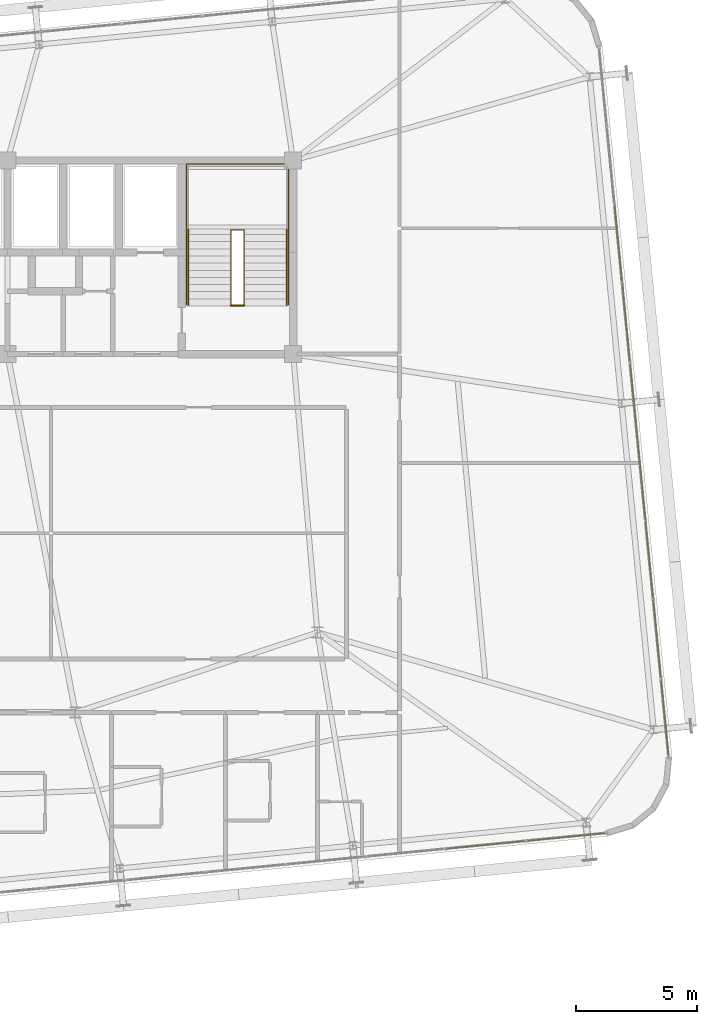
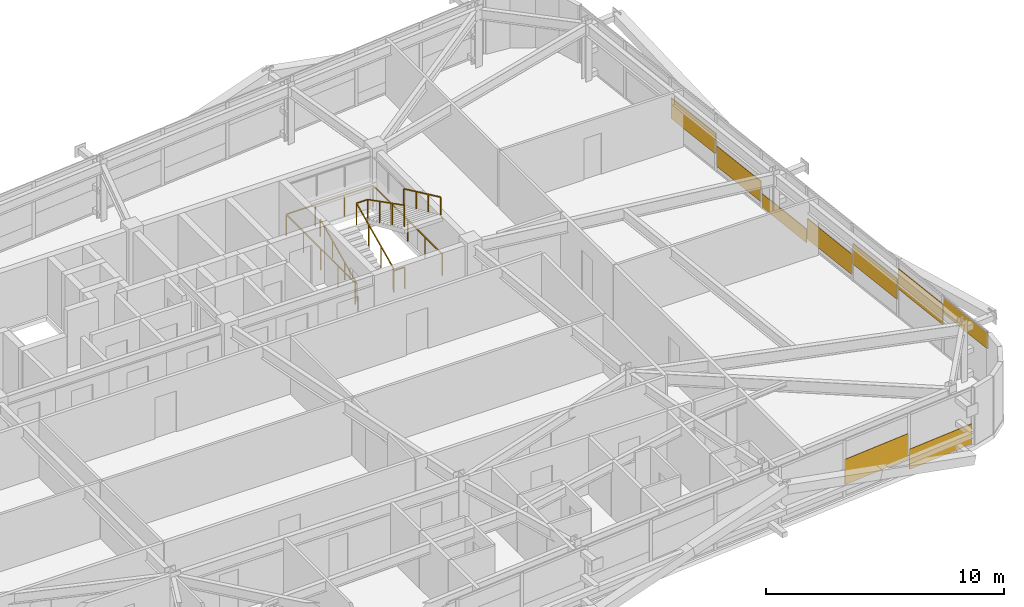
# One storey, part 53 of 54: 9 coverings, 5 railings.
"""IFC4 building model written with IfcOpenShell, lengths in metres."""

from ifc_helpers import new_model, si_unit, direction, frame, origin, origin_2d, place, context, subcontext, project, spatial, rectangle, extrude, source, transform, mapped, material, layer, layer_set, type_object, element, save


model = new_model("IFC4")

# Units and contexts
model_context = context("Model", 3, precision=1e-05, world=origin(), true_north=direction((0.0, 1.0)))
body_context = subcontext(model_context, "Body", "Model", "MODEL_VIEW")
ifc_project = project(units=[si_unit("LENGTHUNIT", "METRE"), si_unit("AREAUNIT", "SQUARE_METRE"), si_unit("VOLUMEUNIT", "CUBIC_METRE"), si_unit("PLANEANGLEUNIT", "RADIAN"), si_unit("MASSUNIT", "GRAM", prefix="KILO")], contexts=[model_context])

# Site, building, storey
site_placement = place(None, origin())
site = spatial("IfcSite", under=ifc_project, at=site_placement, CompositionType="ELEMENT")
building_placement = place(site_placement, origin())
building = spatial("IfcBuilding", under=site, at=building_placement, Name="Taldren Reach Tower", CompositionType="ELEMENT")
storey_placement = place(building_placement, frame((0.0, 0.0, 102.89990234375)))
storey = spatial("IfcBuildingStorey", under=building, at=storey_placement, Name="L31", CompositionType="ELEMENT", Elevation=102.89990234375)

# Railings
ifc_material_1 = material(Name="Steel Gr 350 (C350L0)", Category="steel")
ifc_layer_1 = layer(ifc_material_1, 0.050048828125)
ifc_layer_set_1 = layer_set([ifc_layer_1], Name="Steel Gr 350 (C350L0)")
railing_type_1 = type_object("IfcRailingType", Name="RL-STAIR-GR", PredefinedType="GUARDRAIL", material=ifc_layer_set_1)
railing_1_placement = place(storey_placement, frame((48.429931640625, 26.050048828125, 0.13134765625)))
element("IfcRailing", 1, at=railing_1_placement, inside=storey, type_object=railing_type_1, Name="Stairwell inner guard ST2-L31", PredefinedType="GUARDRAIL", context=body_context, shape_type="SweptSolid", body=[
    extrude(rectangle(XDim=0.047852, YDim=0.047852, at=origin_2d()), frame((0.0, 0.0, 1.09619140625), z_axis=(0.0, 0.905710134349, 0.423897573167), x_axis=(-1.0, 0.0, 0.0)), (0.0, 0.0, 1.0), 3.406005859375),
    extrude(rectangle(XDim=0.047852, YDim=0.047852, at=origin_2d()), frame((0.0, 3.0849609375, 2.5400390625), z_axis=(1.0, 0.0, 0.0), x_axis=(0.0, 1.0, 0.0)), (0.0, 0.0, 1.0), 0.5400390625),
    extrude(rectangle(XDim=0.047852, YDim=0.047852, at=origin_2d()), frame((0.5400390625, 3.0849609375, 2.5400390625), z_axis=(0.0, -0.890645957773, 0.45469745755), x_axis=(1.0, 0.0, 0.0)), (0.0, 0.0, 1.0), 3.463623046875),
    extrude(rectangle(XDim=0.041992, YDim=0.041992, at=origin_2d()), origin(), (0.0, 0.0, 1.0), 1.072021484375),
    extrude(rectangle(XDim=0.041992, YDim=0.041992, at=origin_2d()), frame((0.0, 1.0283203125, 0.481201171875)), (0.0, 0.0, 1.0), 1.072021484375),
    extrude(rectangle(XDim=0.041992, YDim=0.041992, at=origin_2d()), frame((0.0, 2.056640625, 0.962646484375)), (0.0, 0.0, 1.0), 1.072021484375),
    extrude(rectangle(XDim=0.041992, YDim=0.041992, at=origin_2d()), frame((0.0, 3.0849609375, 1.44384765625)), (0.0, 0.0, 1.0), 1.072021484375),
    extrude(rectangle(XDim=0.041992, YDim=0.041992, at=origin_2d()), frame((0.5400390625, 3.0849609375, 1.44384765625)), (0.0, 0.0, 1.0), 1.072021484375),
    extrude(rectangle(XDim=0.041992, YDim=0.041992, at=origin_2d()), frame((0.5400390625, 2.056640625, 1.96875)), (0.0, 0.0, 1.0), 1.072021484375),
    extrude(rectangle(XDim=0.041992, YDim=0.041992, at=origin_2d()), frame((0.5400390625, 1.0283203125, 2.493896484375)), (0.0, 0.0, 1.0), 1.072021484375),
    extrude(rectangle(XDim=0.041992, YDim=0.041992, at=origin_2d()), frame((0.5400390625, 0.0, 3.018798828125)), (0.0, 0.0, 1.0), 1.072021484375),
])
railing_2_placement = place(storey_placement, frame((48.429931640625, 26.010009765625, 0.0)))
element("IfcRailing", 2, at=railing_2_placement, inside=storey, type_object=railing_type_1, Name="Stairwell landing slot guard ST2-L31", PredefinedType="GUARDRAIL", context=body_context, shape_type="SweptSolid", body=[
    extrude(rectangle(XDim=0.047852, YDim=0.047852, at=origin_2d()), frame((0.0, 0.0, 1.09619140625), z_axis=(1.0, 0.0, 0.0), x_axis=(0.0, 1.0, 0.0)), (0.0, 0.0, 1.0), 0.5400390625),
    extrude(rectangle(XDim=0.041992, YDim=0.041992, at=origin_2d()), origin(), (0.0, 0.0, 1.0), 1.072021484375),
    extrude(rectangle(XDim=0.041992, YDim=0.041992, at=origin_2d()), frame((0.5400390625, 0.0, 0.0)), (0.0, 0.0, 1.0), 1.072021484375),
])
railing_3_placement = place(storey_placement, frame((46.590087890625, 26.050048828125, 0.0)))
element("IfcRailing", 3, at=railing_3_placement, inside=storey, type_object=railing_type_1, Name="Stairwell floor opening guard ST2-L31", PredefinedType="GUARDRAIL", context=body_context, shape_type="SweptSolid", body=[
    extrude(rectangle(XDim=0.047852, YDim=0.047852, at=origin_2d()), frame((0.0, 0.0, 1.09619140625), z_axis=(0.0, 1.0, 0.0), x_axis=(-1.0, 0.0, 0.0)), (0.0, 0.0, 1.0), 5.800048828125),
    extrude(rectangle(XDim=0.047852, YDim=0.047852, at=origin_2d()), frame((0.0, 5.800048828125, 1.09619140625), z_axis=(1.0, 0.0, 0.0), x_axis=(0.0, 1.0, 0.0)), (0.0, 0.0, 1.0), 4.219970703125),
    extrude(rectangle(XDim=0.047852, YDim=0.047852, at=origin_2d()), frame((4.219970703125, 5.800048828125, 1.09619140625), z_axis=(0.0, -1.0, 0.0), x_axis=(1.0, 0.0, 0.0)), (0.0, 0.0, 1.0), 5.800048828125),
    extrude(rectangle(XDim=0.041992, YDim=0.041992, at=origin_2d()), origin(), (0.0, 0.0, 1.0), 1.072021484375),
    extrude(rectangle(XDim=0.041992, YDim=0.041992, at=origin_2d()), frame((0.0, 1.449951171875, 0.0)), (0.0, 0.0, 1.0), 1.072021484375),
    extrude(rectangle(XDim=0.041992, YDim=0.041992, at=origin_2d()), frame((0.0, 2.89990234375, 0.0)), (0.0, 0.0, 1.0), 1.072021484375),
    extrude(rectangle(XDim=0.041992, YDim=0.041992, at=origin_2d()), frame((0.0, 4.35009765625, 0.0)), (0.0, 0.0, 1.0), 1.072021484375),
    extrude(rectangle(XDim=0.041992, YDim=0.041992, at=origin_2d()), frame((0.0, 5.800048828125, 0.0)), (0.0, 0.0, 1.0), 1.072021484375),
    extrude(rectangle(XDim=0.041992, YDim=0.041992, at=origin_2d()), frame((1.40673828125, 5.800048828125, 0.0)), (0.0, 0.0, 1.0), 1.072021484375),
    extrude(rectangle(XDim=0.041992, YDim=0.041992, at=origin_2d()), frame((2.813232421875, 5.800048828125, 0.0)), (0.0, 0.0, 1.0), 1.072021484375),
    extrude(rectangle(XDim=0.041992, YDim=0.041992, at=origin_2d()), frame((4.219970703125, 5.800048828125, 0.0)), (0.0, 0.0, 1.0), 1.072021484375),
    extrude(rectangle(XDim=0.041992, YDim=0.041992, at=origin_2d()), frame((4.219970703125, 4.35009765625, 0.0)), (0.0, 0.0, 1.0), 1.072021484375),
    extrude(rectangle(XDim=0.041992, YDim=0.041992, at=origin_2d()), frame((4.219970703125, 2.89990234375, 0.0)), (0.0, 0.0, 1.0), 1.072021484375),
    extrude(rectangle(XDim=0.041992, YDim=0.041992, at=origin_2d()), frame((4.219970703125, 1.449951171875, 0.0)), (0.0, 0.0, 1.0), 1.072021484375),
    extrude(rectangle(XDim=0.041992, YDim=0.041992, at=origin_2d()), frame((4.219970703125, 0.0, 0.0)), (0.0, 0.0, 1.0), 1.072021484375),
])
ifc_material_2 = material(Name="Stainless Steel Gr 316", Category="steel")
ifc_layer_2 = layer(ifc_material_2, 0.048095703125)
ifc_layer_set_2 = layer_set([ifc_layer_2], Name="Stainless Steel Gr 316")
railing_type_2 = type_object("IfcRailingType", Name="RL-STAIR-HR", PredefinedType="HANDRAIL", material=ifc_layer_set_2)
railing_4_placement = place(storey_placement, frame((46.669921875, 26.050048828125, 0.13134765625)))
element("IfcRailing", 4, at=railing_4_placement, inside=storey, type_object=railing_type_2, Name="Stair flight handrail ST2-L31-1", PredefinedType="HANDRAIL", context=body_context, shape_type="SweptSolid", body=[
    extrude(rectangle(XDim=0.047852, YDim=0.047852, at=origin_2d()), frame((0.0, 0.0, 0.89599609375), z_axis=(0.0, 0.905710134349, 0.423897573167), x_axis=(-1.0, 0.0, 0.0)), (0.0, 0.0, 1.0), 3.406005859375),
    extrude(rectangle(XDim=0.041992, YDim=0.041992, at=origin_2d()), origin(), (0.0, 0.0, 1.0), 0.871826171875),
    extrude(rectangle(XDim=0.041992, YDim=0.041992, at=origin_2d()), frame((0.0, 1.0283203125, 0.481201171875)), (0.0, 0.0, 1.0), 0.871826171875),
    extrude(rectangle(XDim=0.041992, YDim=0.041992, at=origin_2d()), frame((0.0, 2.056640625, 0.962646484375)), (0.0, 0.0, 1.0), 0.871826171875),
    extrude(rectangle(XDim=0.041992, YDim=0.041992, at=origin_2d()), frame((0.0, 3.0849609375, 1.44384765625)), (0.0, 0.0, 1.0), 0.871826171875),
])
railing_5_placement = place(storey_placement, frame((50.72998046875, 29.135009765625, 1.706298828125)))
element("IfcRailing", 5, at=railing_5_placement, inside=storey, type_object=railing_type_2, Name="Stair flight handrail ST2-L31-2", PredefinedType="HANDRAIL", context=body_context, shape_type="SweptSolid", body=[
    extrude(rectangle(XDim=0.047852, YDim=0.047852, at=origin_2d()), frame((0.0, 0.0, 0.89599609375), z_axis=(0.0, -0.905710134349, 0.423897573167), x_axis=(1.0, 0.0, 0.0)), (0.0, 0.0, 1.0), 3.406005859375),
    extrude(rectangle(XDim=0.041992, YDim=0.041992, at=origin_2d()), origin(), (0.0, 0.0, 1.0), 0.871826171875),
    extrude(rectangle(XDim=0.041992, YDim=0.041992, at=origin_2d()), frame((0.0, -1.0283203125, 0.481201171875)), (0.0, 0.0, 1.0), 0.871826171875),
    extrude(rectangle(XDim=0.041992, YDim=0.041992, at=origin_2d()), frame((0.0, -2.056640625, 0.962646484375)), (0.0, 0.0, 1.0), 0.871826171875),
    extrude(rectangle(XDim=0.041992, YDim=0.041992, at=origin_2d()), frame((0.0, -3.0849609375, 1.44384765625)), (0.0, 0.0, 1.0), 0.871826171875),
])

# Coverings
ifc_material_3 = material(Name="Pale Champagne Fluoropolymer Aluminium Spandrel Cladding", Category="aluminium")
ifc_layer_3 = layer(ifc_material_3, 0.0439453125)
ifc_layer_set_3 = layer_set([ifc_layer_3], Name="Pale Champagne Fluoropolymer Aluminium Spandrel Cladding")
covering_type = type_object("IfcCoveringType", Name="CV-CLAD-044", PredefinedType="CLADDING", material=ifc_layer_set_3)
shared_shape_1 = source(origin(), body_context, "Body", "SweptSolid", [
    extrude(rectangle(XDim=3.268310546875, YDim=0.0439453125, at=origin_2d()), origin(), (0.0, 0.0, 1.0), 1.3046875),
])
covering_1_placement = place(storey_placement, frame((58.972900390625, 3.7255859375, 0.6220703125), z_axis=(0.0, 0.0, 1.0), x_axis=(0.995227390247, 0.097582999046, 0.0)))
element("IfcCovering", 6, at=covering_1_placement, inside=storey, type_object=covering_type, Name="Diagrid closure cladding strip CW-3 panel 14.1 1", PredefinedType="CLADDING", context=body_context, shape_type="MappedRepresentation", body=[
    mapped(shared_shape_1, transform((0.0, 0.0, 0.0), scale=1.0)),
])
shared_shape_2 = source(origin(), body_context, "Body", "SweptSolid", [
    extrude(rectangle(XDim=3.23583984375, YDim=0.0439453125, at=origin_2d()), origin(), (0.0, 0.0, 1.0), 1.034912109375),
])
covering_2_placement = place(storey_placement, frame((62.274169921875, 4.04931640625, 0.05517578125), z_axis=(0.0, 0.0, 1.0), x_axis=(0.995227390247, 0.097582999046, 0.0)))
element("IfcCovering", 7, at=covering_2_placement, inside=storey, type_object=covering_type, Name="Diagrid closure cladding strip CW-3 panel 15.1 1", PredefinedType="CLADDING", context=body_context, shape_type="MappedRepresentation", body=[
    mapped(shared_shape_2, transform((0.0, 0.0, 0.0), scale=1.0)),
])
shared_shape_3 = source(origin(), body_context, "Body", "SweptSolid", [
    extrude(rectangle(XDim=3.18017578125, YDim=0.0439453125, at=origin_2d()), origin(), (0.0, 0.0, 1.0), 0.83056640625),
])
covering_3_placement = place(storey_placement, frame((66.35498046875, 8.986328125, 2.044677734375), z_axis=(0.0, 0.0, 1.0), x_axis=(-0.09758274098, 0.99522741555, 0.0)))
element("IfcCovering", 8, at=covering_3_placement, inside=storey, type_object=covering_type, Name="Diagrid closure cladding strip CW-3 panel 1.1 1", PredefinedType="CLADDING", context=body_context, shape_type="MappedRepresentation", body=[
    mapped(shared_shape_3, transform((0.0, 0.0, 0.0), scale=1.0)),
])
shared_shape_4 = source(origin(), body_context, "Body", "SweptSolid", [
    extrude(rectangle(XDim=3.212890625, YDim=0.0439453125, at=origin_2d()), origin(), (0.0, 0.0, 1.0), 1.053466796875),
])
for number, where, z_axis, x_axis, name in (
    (9, (66.03662109375, 12.232177734375, 1.45703125), (0.0, 0.0, 1.0), (-0.09758274098, 0.99522741555, 0.0), "Diagrid closure cladding strip CW-3 panel 2.1 1"),
    (10, (65.716796875, 15.494384765625, 0.869140625), (0.0, 0.0, 1.0), (-0.09758274098, 0.99522741555, 0.0), "Diagrid closure cladding strip CW-3 panel 3.1 1"),
    (11, (65.39697265625, 18.756591796875, 0.28125), (0.0, 0.0, 1.0), (-0.09758274098, 0.99522741555, 0.0), "Diagrid closure cladding strip CW-3 panel 4.1 1"),
    (12, (64.757080078125, 25.28076171875, 0.28125), (0.0, 0.0, 1.0), (-0.09758274098, 0.99522741555, 0.0), "Diagrid closure cladding strip CW-3 panel 6.1 1"),
    (13, (64.437255859375, 28.54296875, 0.869140625), (0.0, 0.0, 1.0), (-0.09758274098, 0.99522741555, 0.0), "Diagrid closure cladding strip CW-3 panel 7.1 1"),
):
    element("IfcCovering", number, at=place(storey_placement, frame(where, z_axis=z_axis, x_axis=x_axis)), inside=storey, type_object=covering_type, Name=name, PredefinedType="CLADDING", context=body_context, shape_type="MappedRepresentation", body=[
        mapped(shared_shape_4, transform((0.0, 0.0, 0.0), scale=1.0)),
    ])
shared_shape_5 = source(origin(), body_context, "Body", "SweptSolid", [
    extrude(rectangle(XDim=3.212890625, YDim=0.0439453125, at=origin_2d()), origin(), (0.0, 0.0, 1.0), 0.691650390625),
])
covering_4_placement = place(storey_placement, frame((65.0771484375, 22.0185546875, 0.05517578125), z_axis=(0.0, 0.0, 1.0), x_axis=(-0.09758274098, 0.99522741555, 0.0)))
element("IfcCovering", 14, at=covering_4_placement, inside=storey, type_object=covering_type, Name="Diagrid closure cladding strip CW-3 panel 5.1 1", PredefinedType="CLADDING", context=body_context, shape_type="MappedRepresentation", body=[
    mapped(shared_shape_5, transform((0.0, 0.0, 0.0), scale=1.0)),
])

save(model, "model.ifc")
